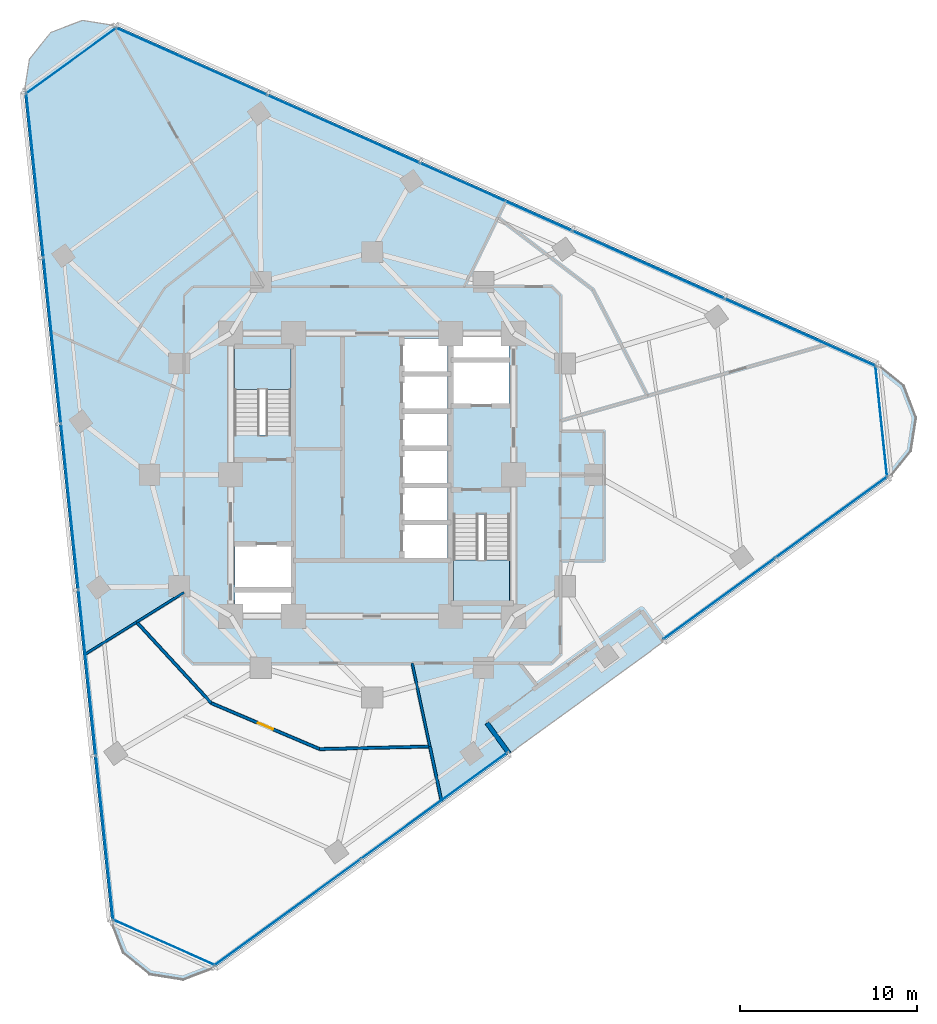
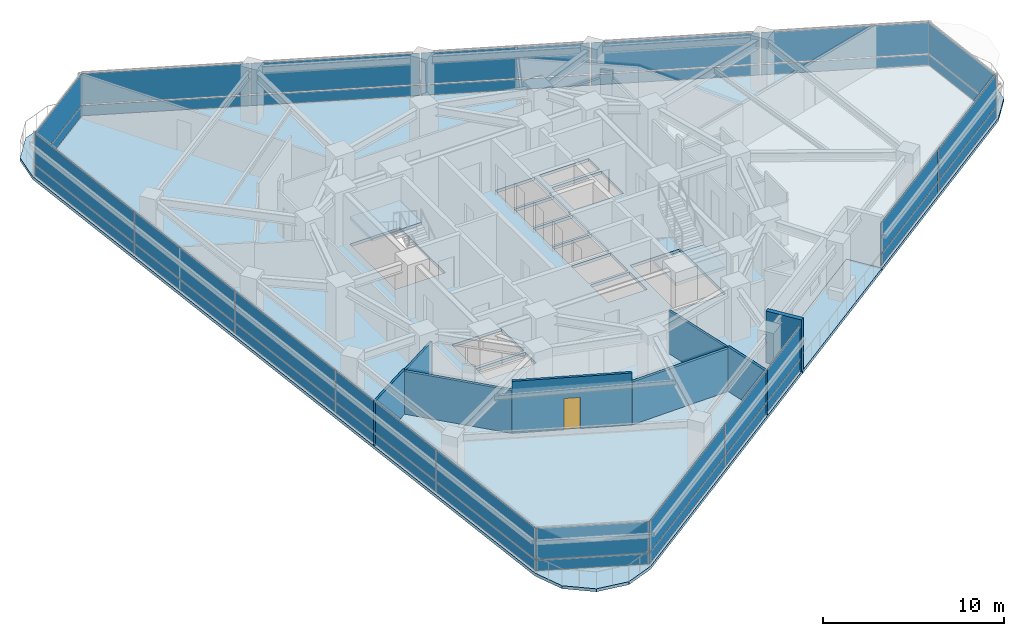
# One storey, part 7 of 14: 34 plates, 8 walls, 4 slabs, 1 door, 1 opening, 9 elements without a shape of their own.
"""IFC4 building model written with IfcOpenShell, lengths in metres."""

import ifcopenshell
import ifcopenshell.guid

model = None  # the IFC model being written
_history = None  # IfcOwnerHistory: only IFC2X3 demands one
_inside = {}  # id of a spatial element -> (the spatial element, [elements in it])
_under = {}  # id of a project, library or spatial element -> (it, [spatial elements below it])
_declared = {}  # id of a project -> (the project, [libraries it declares])
_typed = {}  # id of a type object -> (the type object, [elements of that type])
_made_of = {}  # id of a material, layer set ... -> (it, [elements and type objects made of it])


def new_model(schema):
    """Start an empty IFC model of exactly this schema.

    Asked for "IFC4X3", IfcOpenShell would pick the latest addendum, in which some entities
    have other attributes; the version numbers below select the first issue.
    IFC2X3 requires an IfcOwnerHistory on every rooted entity: one is made here for all.
    """
    global model, _history
    if schema == "IFC4X3":
        model = ifcopenshell.file(schema_version=(4, 3, 0, 0))
    else:
        model = ifcopenshell.file(schema=schema)
    _inside.clear()
    _under.clear()
    _declared.clear()
    _typed.clear()
    _made_of.clear()
    _history = None
    if model.schema == "IFC2X3":
        org = make("IfcOrganization", Name="unknown")
        user = make(
            "IfcPersonAndOrganization",
            ThePerson=make("IfcPerson", FamilyName="unknown"),
            TheOrganization=org,
        )
        app = make(
            "IfcApplication",
            ApplicationDeveloper=org,
            Version="unknown",
            ApplicationFullName="unknown",
            ApplicationIdentifier="unknown",
        )
        _history = make(
            "IfcOwnerHistory",
            OwningUser=user,
            OwningApplication=app,
            ChangeAction="ADDED",
            CreationDate=0,
        )
    return model


def make(cls, **values):
    """One entity of the class cls with the attributes given. An attribute that is None is left unset."""
    return model.create_entity(
        cls, **{name: value for name, value in values.items() if value is not None}
    )


def rooted(cls, **values):
    """An entity with a GlobalId (a new one), such as an element, a storey or a relation."""
    return make(cls, GlobalId=ifcopenshell.guid.new(), OwnerHistory=_history, **values)


def si_unit(unit_type, name, prefix=None):
    """IfcSIUnit, for example si_unit("LENGTHUNIT", "METRE", prefix="MILLI")."""
    return make("IfcSIUnit", UnitType=unit_type, Prefix=prefix, Name=name)


def assignment(units):
    """IfcUnitAssignment: the units of a project."""
    return None if units is None else make("IfcUnitAssignment", Units=units)


def point(xyz):
    """IfcCartesianPoint."""
    return None if xyz is None else make("IfcCartesianPoint", Coordinates=xyz)


def direction(xyz):
    """IfcDirection."""
    return None if xyz is None else make("IfcDirection", DirectionRatios=xyz)


def frame(location, z_axis=None, x_axis=None):
    """IfcAxis2Placement3D, a coordinate frame: its origin and axes. An axis left out is left unset."""
    return make(
        "IfcAxis2Placement3D",
        Location=point(location),
        Axis=direction(z_axis),
        RefDirection=direction(x_axis),
    )


def frame_2d(location, x_axis=None):
    """IfcAxis2Placement2D, a coordinate frame in the plane: its origin and x axis."""
    return make(
        "IfcAxis2Placement2D", Location=point(location), RefDirection=direction(x_axis)
    )


def origin():
    """The frame at (0, 0, 0) with its axes left unset."""
    return frame((0.0, 0.0, 0.0))


def origin_2d():
    """The frame at (0, 0) in the plane with its x axis left unset."""
    return frame_2d((0.0, 0.0))


def place(relative_to, where):
    """IfcLocalPlacement: puts the frame where relative to a parent placement (None: the world)."""
    return make(
        "IfcLocalPlacement", PlacementRelTo=relative_to, RelativePlacement=where
    )


def context(
    kind, dimensions, precision=None, world=None, true_north=None, identifier=None
):
    """IfcGeometricRepresentationContext, for example the 3D "Model" context."""
    return make(
        "IfcGeometricRepresentationContext",
        ContextIdentifier=identifier,
        ContextType=kind,
        CoordinateSpaceDimension=dimensions,
        Precision=precision,
        WorldCoordinateSystem=world,
        TrueNorth=true_north,
    )


def subcontext(parent, identifier, kind, view, scale=None):
    """IfcGeometricRepresentationSubContext, for example "Body" below "Model"."""
    return make(
        "IfcGeometricRepresentationSubContext",
        ContextIdentifier=identifier,
        ContextType=kind,
        ParentContext=parent,
        TargetScale=scale,
        TargetView=view,
    )


def project(units=None, contexts=None):
    """IfcProject with its units and contexts."""
    return rooted(
        "IfcProject",
        Name="project",
        RepresentationContexts=contexts,
        UnitsInContext=assignment(units),
    )


def spatial(cls, under=None, at=None, **own):
    """A site, building, storey or space (cls), placed at a placement, below another one or the project."""
    s = rooted(cls, ObjectPlacement=at, **own)
    if under is not None:
        _under.setdefault(under.id(), (under, []))[1].append(s)
    return s


def polyline(points):
    """IfcPolyline through the points."""
    return make("IfcPolyline", Points=[point(p) for p in points])


def profile(cls, at=None, kind="AREA", **sizes):
    """A parametric profile (cls). Its sizes go by their IFC names, for example OverallWidth=200.0."""
    return make(cls, ProfileType=kind, Position=at, **sizes)


def rectangle(**sizes):
    """IfcRectangleProfileDef."""
    return profile("IfcRectangleProfileDef", **sizes)


def outline(outer, holes=None, kind="AREA"):
    """IfcArbitraryClosedProfileDef: a profile drawn as a closed curve; with holes, ...WithVoids."""
    if holes is None:
        return make("IfcArbitraryClosedProfileDef", ProfileType=kind, OuterCurve=outer)
    return make(
        "IfcArbitraryProfileDefWithVoids",
        ProfileType=kind,
        OuterCurve=outer,
        InnerCurves=holes,
    )


def extrude(swept, where, along, depth):
    """IfcExtrudedAreaSolid: the profile swept, set in the frame where, extruded along a direction by depth."""
    return make(
        "IfcExtrudedAreaSolid",
        SweptArea=swept,
        Position=where,
        ExtrudedDirection=direction(along),
        Depth=depth,
    )


def shape(context_of_items, identifier, shape_type, items):
    """IfcShapeRepresentation: the items that make up one representation, for example the "Body"."""
    return make(
        "IfcShapeRepresentation",
        ContextOfItems=context_of_items,
        RepresentationIdentifier=identifier,
        RepresentationType=shape_type,
        Items=items,
    )


def material(Name=None, Category=None):
    """IfcMaterial."""
    return make("IfcMaterial", Name=Name, Category=Category)


def layer(
    of_material, thickness, ventilated=None, Name=None, Category=None, Priority=None
):
    """IfcMaterialLayer: one layer of a wall or slab, of a material (None: an air gap)."""
    return make(
        "IfcMaterialLayer",
        Material=of_material,
        LayerThickness=thickness,
        IsVentilated=ventilated,
        Name=Name,
        Category=Category,
        Priority=Priority,
    )


def layer_set(layers, Name=None):
    """IfcMaterialLayerSet."""
    return make("IfcMaterialLayerSet", MaterialLayers=layers, LayerSetName=Name)


def made_of(thing, what):
    """Note that an element or type object is made of a material, layer set ...; save() writes the relation."""
    if what is not None:
        _made_of.setdefault(what.id(), (what, []))[1].append(thing)
    return thing


def type_object(cls, material=None, **own):
    """A type object (cls), such as IfcWallType, which elements share."""
    return made_of(rooted(cls, **own), material)


def element(
    cls,
    number,
    at=None,
    inside=None,
    cuts=None,
    type_object=None,
    material=None,
    context=None,
    identifier="Body",
    shape_type=None,
    held_by="IfcProductDefinitionShape",
    body=None,
    shapes=None,
    **own,
):
    """One element of the class cls, such as IfcWall. Its Tag is "e" and its number.

    at: its placement. inside: the storey or other place that contains it. cuts: it is an
    opening in that element (IfcRelVoidsElement). A single representation is given by context,
    identifier, shape_type and body (its items); several are given by shapes. held_by: the class
    of the entity that holds the representations. save() writes the other relations.
    """
    e = rooted(cls, Tag="e%d" % number, ObjectPlacement=at, **own)
    if body is not None:
        shapes = [shape(context, identifier, shape_type, body)]
    if shapes is not None:
        e.Representation = make(held_by, Representations=shapes)
    if inside is not None:
        _inside.setdefault(inside.id(), (inside, []))[1].append(e)
    if cuts is not None:
        rooted(
            "IfcRelVoidsElement", RelatingBuildingElement=cuts, RelatedOpeningElement=e
        )
    if type_object is not None:
        _typed.setdefault(type_object.id(), (type_object, []))[1].append(e)
    return made_of(e, material)


def fill(opening, filler):
    """IfcRelFillsElement: the door or window that sits in an opening."""
    return rooted(
        "IfcRelFillsElement",
        RelatingOpeningElement=opening,
        RelatedBuildingElement=filler,
    )


def aggregate(whole, parts):
    """IfcRelAggregates: a whole, such as a stair, and the parts it consists of."""
    return rooted("IfcRelAggregates", RelatingObject=whole, RelatedObjects=parts)


def save(model, path):
    """Write the relations noted so far, then the file.

    IfcRelAggregates (storeys below a building ...), IfcRelContainedInSpatialStructure (elements
    in a storey), IfcRelDefinesByType, IfcRelAssociatesMaterial and IfcRelDeclares: one each for
    every whole, place, type object, material and project.
    """
    for whole, parts in _under.values():
        aggregate(whole, parts)
    for where, things in _inside.values():
        rooted(
            "IfcRelContainedInSpatialStructure",
            RelatedElements=things,
            RelatingStructure=where,
        )
    for kind, things in _typed.values():
        rooted("IfcRelDefinesByType", RelatedObjects=things, RelatingType=kind)
    for what, things in _made_of.values():
        rooted("IfcRelAssociatesMaterial", RelatedObjects=things, RelatingMaterial=what)
    for by, libraries in _declared.values():
        rooted("IfcRelDeclares", RelatingContext=by, RelatedDefinitions=libraries)
    model.write(path)


model = new_model("IFC4")

# Units and contexts
model_context = context("Model", 3, precision=1e-05, world=origin(), true_north=direction((0.0, 1.0)))
body_context = subcontext(model_context, "Body", "Model", "MODEL_VIEW")
ifc_project = project(units=[si_unit("LENGTHUNIT", "METRE"), si_unit("AREAUNIT", "SQUARE_METRE"), si_unit("VOLUMEUNIT", "CUBIC_METRE"), si_unit("PLANEANGLEUNIT", "RADIAN"), si_unit("MASSUNIT", "GRAM", prefix="KILO")], contexts=[model_context])

# Site, building, storey
site_placement = place(None, origin())
site = spatial("IfcSite", under=ifc_project, at=site_placement, CompositionType="ELEMENT")
building_placement = place(site_placement, origin())
building = spatial("IfcBuilding", under=site, at=building_placement, Name="Terralouvre Media Tower", CompositionType="ELEMENT")
storey_placement = place(building_placement, frame((0.0, 0.0, 158.300048828125)))
storey = spatial("IfcBuildingStorey", under=building, at=storey_placement, Name="L40", CompositionType="ELEMENT", Elevation=158.300048828125)

# Slabs
ifc_material_1 = material(Name="Concrete C40/50", Category="concrete")
ifc_layer_1 = layer(ifc_material_1, 0.199951171875, Name="Composite Tower Floor Slab S-TYP200")
ifc_layer_set_1 = layer_set([ifc_layer_1], Name="Concrete C40/50")
slab_type_1 = type_object("IfcSlabType", Name="Composite Tower Floor Slab S-TYP200", PredefinedType="FLOOR", material=ifc_layer_set_1)
slab_1_placement = place(storey_placement, frame((0.0, 0.0, -0.199951171875), z_axis=(0.0, 0.0, 1.0), x_axis=(0.809016994375, 0.587785252292, 0.0)))
element("IfcSlab", 1, at=slab_1_placement, inside=storey, type_object=slab_type_1, Name="L40 Structural Floor Slab", PredefinedType="FLOOR", context=body_context, shape_type="SweptSolid", body=[
    extrude(outline(polyline([(-23.60009765625, -17.325439453125), (-3.0, -17.325439453125), (-3.0, -15.175537109375), (7.800048828125, -15.175537109375), (7.800048828125, -17.325439453125), (23.60009765625, -17.325439453125), (25.449951171875, -16.829833984375), (26.80419921875, -15.4755859375), (27.300048828125, -13.62548828125), (26.80419921875, -11.775390625), (3.204345703125, 29.100830078125), (1.85009765625, 30.455322265625), (0.0, 30.950927734375), (-1.85009765625, 30.455322265625), (-3.204345703125, 29.100830078125), (-26.80419921875, -11.775390625), (-27.300048828125, -13.62548828125), (-26.80419921875, -15.475341796875), (-25.449951171875, -16.829833984375), (-23.60009765625, -17.325439453125)]), holes=[polyline([(-7.600830078125, -2.6357421875), (-8.30615234375, -3.6064453125), (-10.8544921875, -1.7548828125), (-10.149169921875, -0.7841796875), (-7.600830078125, -2.6357421875)]), polyline([(-7.4833984375, -2.473876953125), (-10.03173828125, -0.622314453125), (-8.591552734375, 1.359619140625), (-6.043212890625, -0.49169921875), (-7.4833984375, -2.473876953125)]), polyline([(4.366943359375, -1.2197265625), (2.344482421875, 0.24951171875), (3.48486328125, 1.819091796875), (5.50732421875, 0.349609375), (4.366943359375, -1.2197265625)]), polyline([(6.74169921875, 2.048583984375), (5.601318359375, 0.47900390625), (3.578857421875, 1.948486328125), (4.71923828125, 3.51806640625), (6.74169921875, 2.048583984375)]), polyline([(-2.40185546875, 4.52001953125), (-4.974609375, 6.38916015625), (-2.02685546875, 10.446533203125), (0.5458984375, 8.577392578125), (-2.40185546875, 4.52001953125)]), polyline([(6.835693359375, 2.177978515625), (4.813232421875, 3.6474609375), (5.953369140625, 5.217041015625), (7.97607421875, 3.74755859375), (6.835693359375, 2.177978515625)]), polyline([(-0.5458984375, -8.577392578125), (2.40185546875, -4.52001953125), (4.974609375, -6.38916015625), (2.02685546875, -10.446533203125), (-0.5458984375, -8.577392578125)]), polyline([(0.6640625, -6.316650390625), (-1.358642578125, -4.84716796875), (-0.21826171875, -3.277587890625), (1.80419921875, -4.7470703125), (0.6640625, -6.316650390625)]), polyline([(1.8984375, -4.61767578125), (-0.124267578125, -3.148193359375), (1.01611328125, -1.578857421875), (3.03857421875, -3.04833984375), (1.8984375, -4.61767578125)]), polyline([(4.27294921875, -1.349365234375), (3.132568359375, -2.918701171875), (1.110107421875, -1.44921875), (2.25048828125, 0.1201171875), (4.27294921875, -1.349365234375)]), polyline([(8.591552734375, -1.359619140625), (6.043212890625, 0.49169921875), (7.4833984375, 2.473876953125), (10.03173828125, 0.622314453125), (8.591552734375, -1.359619140625)]), polyline([(10.149169921875, 0.7841796875), (7.600830078125, 2.6357421875), (8.30615234375, 3.6064453125), (10.8544921875, 1.7548828125), (10.149169921875, 0.7841796875)])]), origin(), (0.0, 0.0, 1.0), 0.199951171875),
])
ifc_material_2 = material(Name="Concrete C45/55", Category="concrete")
ifc_layer_2 = layer(ifc_material_2, 0.2099609375, Name="Planted Sky-Garden External Deck S-TER210")
ifc_layer_set_2 = layer_set([ifc_layer_2], Name="Concrete C45/55")
slab_type_2 = type_object("IfcSlabType", Name="Planted Sky-Garden External Deck S-TER210", PredefinedType="FLOOR", material=ifc_layer_set_2)
slab_2_placement = place(storey_placement, frame((0.0, 0.0, -0.2099609375), z_axis=(0.0, 0.0, 1.0), x_axis=(0.809016994375, 0.587785252292, 0.0)))
element("IfcSlab", 2, at=slab_2_placement, inside=storey, type_object=slab_type_2, Name="L40 Helical Planted Sky-Garden Deck 08", PredefinedType="FLOOR", context=body_context, shape_type="SweptSolid", body=[
    extrude(outline(polyline([(-3.0, -17.325439453125), (7.800048828125, -17.325439453125), (7.800048828125, -15.175537109375), (-3.0, -15.175537109375), (-3.0, -17.325439453125)])), origin(), (0.0, 0.0, 1.0), 0.2099609375),
])

# Stair, slab
ifc_material_3 = material(Name="Concrete C45/55", Category="concrete")
stair_type_1 = type_object("IfcStairType", Name="Dogleg Stair Assembly ST-01", PredefinedType="HALF_TURN_STAIR", material=ifc_material_3)
stair_1_placement = place(storey_placement, origin())
stair_1 = element("IfcStair", 3, at=stair_1_placement, inside=storey, type_object=stair_type_1, Name="L40 Core Pressurised Exit Stair ST-01", PredefinedType="HALF_TURN_STAIR")
ifc_material_4 = material(Name="Concrete C45/55", Category="concrete")
ifc_layer_3 = layer(ifc_material_4, 0.199951171875, Name="Reinforced Concrete Stair Half-Landing SL-LD1")
ifc_layer_set_3 = layer_set([ifc_layer_3], Name="Concrete C45/55")
slab_type_3 = type_object("IfcSlabType", Name="Reinforced Concrete Stair Half-Landing SL-LD1", PredefinedType="LANDING", material=ifc_layer_set_3)
slab_3_placement = place(storey_placement, frame((0.0, 0.0, 1.64990234375)))
slab_3 = element("IfcSlab", 4, at=slab_3_placement, type_object=slab_type_3, Name="ST-01 landing 1", PredefinedType="LANDING", context=body_context, shape_type="SweptSolid", body=[
    extrude(outline(polyline([(-4.60009765625, 4.820068359375), (-4.60009765625, 7.260009765625), (-7.780029296875, 7.260009765625), (-7.780029296875, 4.820068359375), (-4.60009765625, 4.820068359375)])), origin(), (0.0, 0.0, 1.0), 0.199951171875),
])
aggregate(stair_1, [slab_3])

ifc_material_5 = material(Name="Concrete C45/55", Category="concrete")
stair_type_2 = type_object("IfcStairType", Name="Dogleg Stair Assembly ST-02", PredefinedType="HALF_TURN_STAIR", material=ifc_material_5)
stair_2_placement = place(storey_placement, origin())
stair_2 = element("IfcStair", 5, at=stair_2_placement, inside=storey, type_object=stair_type_2, Name="L40 Core Pressurised Exit Stair ST-02", PredefinedType="HALF_TURN_STAIR")
slab_4_placement = place(storey_placement, frame((0.0, 0.0, 1.64990234375)))
slab_4 = element("IfcSlab", 6, at=slab_4_placement, type_object=slab_type_3, Name="ST-02 landing 1", PredefinedType="LANDING", context=body_context, shape_type="SweptSolid", body=[
    extrude(outline(polyline([(4.60009765625, -4.820068359375), (4.60009765625, -7.260009765625), (7.780029296875, -7.260009765625), (7.780029296875, -4.820068359375), (4.60009765625, -4.820068359375)])), origin(), (0.0, 0.0, 1.0), 0.199951171875),
])
aggregate(stair_2, [slab_4])

# Curtain wall, plates
ifc_material_6 = material(Name="Low-iron laminated double glazing with solar-control coating", Category="glass")
ifc_layer_4 = layer(ifc_material_6, 0.1650390625, Name="Rounded Wind-Corner Curved Glazing CW-04")
ifc_layer_set_4 = layer_set([ifc_layer_4], Name="Low-iron laminated double glazing with solar-control coating")
curtain_wall_type_1 = type_object("IfcCurtainWallType", Name="Rounded Wind-Corner Curved Glazing CW-04", PredefinedType="NOTDEFINED", material=ifc_layer_set_4)
curtain_wall_1_placement = place(storey_placement, origin())
curtain_wall_1 = element("IfcCurtainWall", 7, at=curtain_wall_1_placement, inside=storey, type_object=curtain_wall_type_1, Name="L40 Rounded Wind-Corner Curtain Wall C0", PredefinedType="NOTDEFINED")
ifc_material_7 = material(Name="Low-iron laminated double glazing with solar-control coating", Category="glass")
ifc_layer_5 = layer(ifc_material_7, 0.0400390625, Name="Rounded Corner Laminated Vision Panel CWP-03")
ifc_layer_set_5 = layer_set([ifc_layer_5], Name="Low-iron laminated double glazing with solar-control coating")
plate_type_1 = type_object("IfcPlateType", Name="Rounded Corner Laminated Vision Panel CWP-03", PredefinedType="CURTAIN_PANEL", material=ifc_layer_set_5)
plate_1_placement = place(storey_placement, frame((-11.779541015625, -26.45703125, 0.074951171875), z_axis=(0.0, 0.0, 1.0), x_axis=(0.913545408199, -0.406736754128, 0.0)))
plate_1 = element("IfcPlate", 8, at=plate_1_placement, type_object=plate_type_1, Name="CW-04 panel 1.1", PredefinedType="CURTAIN_PANEL", context=body_context, shape_type="SweptSolid", body=[
    extrude(rectangle(XDim=6.258544921875, YDim=0.035888671875, at=origin_2d()), origin(), (0.0, 0.0, 1.0), 0.6875),
])
plate_2_placement = place(storey_placement, frame((-11.779541015625, -26.45703125, 0.83740234375), z_axis=(0.0, 0.0, 1.0), x_axis=(0.913545408199, -0.406736754128, 0.0)))
plate_2 = element("IfcPlate", 9, at=plate_2_placement, type_object=plate_type_1, Name="CW-04 panel 1.2", PredefinedType="CURTAIN_PANEL", context=body_context, shape_type="SweptSolid", body=[
    extrude(rectangle(XDim=6.258544921875, YDim=0.035888671875, at=origin_2d()), origin(), (0.0, 0.0, 1.0), 2.08740234375),
])
aggregate(curtain_wall_1, [plate_1, plate_2])

curtain_wall_2_placement = place(storey_placement, origin())
curtain_wall_2 = element("IfcCurtainWall", 10, at=curtain_wall_2_placement, inside=storey, type_object=curtain_wall_type_1, Name="L40 Rounded Wind-Corner Curtain Wall C1", PredefinedType="NOTDEFINED")
plate_3_placement = place(storey_placement, frame((28.80224609375, 3.02734375, 0.074951171875), z_axis=(0.0, 0.0, 1.0), x_axis=(-0.10452850319, 0.994521891172, 0.0)))
plate_3 = element("IfcPlate", 11, at=plate_3_placement, type_object=plate_type_1, Name="CW-04 panel 1.1", PredefinedType="CURTAIN_PANEL", context=body_context, shape_type="SweptSolid", body=[
    extrude(rectangle(XDim=6.258544921875, YDim=0.035888671875, at=origin_2d()), origin(), (0.0, 0.0, 1.0), 0.6875),
])
plate_4_placement = place(storey_placement, frame((28.80224609375, 3.02734375, 0.83740234375), z_axis=(0.0, 0.0, 1.0), x_axis=(-0.10452850319, 0.994521891172, 0.0)))
plate_4 = element("IfcPlate", 12, at=plate_4_placement, type_object=plate_type_1, Name="CW-04 panel 1.2", PredefinedType="CURTAIN_PANEL", context=body_context, shape_type="SweptSolid", body=[
    extrude(rectangle(XDim=6.258544921875, YDim=0.035888671875, at=origin_2d()), origin(), (0.0, 0.0, 1.0), 2.08740234375),
])
aggregate(curtain_wall_2, [plate_3, plate_4])

curtain_wall_3_placement = place(storey_placement, origin())
curtain_wall_3 = element("IfcCurtainWall", 13, at=curtain_wall_3_placement, inside=storey, type_object=curtain_wall_type_1, Name="L40 Rounded Wind-Corner Curtain Wall C2", PredefinedType="NOTDEFINED")
plate_5_placement = place(storey_placement, frame((-17.022705078125, 23.429931640625, 0.074951171875), z_axis=(0.0, 0.0, 1.0), x_axis=(-0.809017438344, -0.587784641221, 0.0)))
plate_5 = element("IfcPlate", 14, at=plate_5_placement, type_object=plate_type_1, Name="CW-04 panel 1.1", PredefinedType="CURTAIN_PANEL", context=body_context, shape_type="SweptSolid", body=[
    extrude(rectangle(XDim=6.258544921875, YDim=0.035888671875, at=origin_2d()), origin(), (0.0, 0.0, 1.0), 0.6875),
])
plate_6_placement = place(storey_placement, frame((-17.022705078125, 23.429931640625, 0.83740234375), z_axis=(0.0, 0.0, 1.0), x_axis=(-0.809017438344, -0.587784641221, 0.0)))
plate_6 = element("IfcPlate", 15, at=plate_6_placement, type_object=plate_type_1, Name="CW-04 panel 1.2", PredefinedType="CURTAIN_PANEL", context=body_context, shape_type="SweptSolid", body=[
    extrude(rectangle(XDim=6.258544921875, YDim=0.035888671875, at=origin_2d()), origin(), (0.0, 0.0, 1.0), 2.08740234375),
])
aggregate(curtain_wall_3, [plate_5, plate_6])

ifc_material_8 = material(Name="Low-iron laminated double glazing with solar-control coating", Category="glass")
ifc_layer_6 = layer(ifc_material_8, 0.1650390625, Name="Production Studio Tower Curtain Wall CW-03")
ifc_layer_set_6 = layer_set([ifc_layer_6], Name="Low-iron laminated double glazing with solar-control coating")
curtain_wall_type_2 = type_object("IfcCurtainWallType", Name="Production Studio Tower Curtain Wall CW-03", PredefinedType="NOTDEFINED", material=ifc_layer_set_6)
curtain_wall_4_placement = place(storey_placement, origin())
curtain_wall_4 = element("IfcCurtainWall", 16, at=curtain_wall_4_placement, inside=storey, type_object=curtain_wall_type_2, Name="L40 Left Flank Curtain Wall F0", PredefinedType="NOTDEFINED")
ifc_material_9 = material(Name="Low-iron laminated double glazing with solar-control coating", Category="glass")
ifc_layer_7 = layer(ifc_material_9, 0.035888671875, Name="Vision Double-Glazed Unit CWP-01")
ifc_layer_set_7 = layer_set([ifc_layer_7], Name="Low-iron laminated double glazing with solar-control coating")
plate_type_2 = type_object("IfcPlateType", Name="Vision Double-Glazed Unit CWP-01", PredefinedType="CURTAIN_PANEL", material=ifc_layer_set_7)
plate_7_placement = place(storey_placement, frame((-4.798095703125, -24.753173828125, 0.074951171875), z_axis=(0.0, 0.0, 1.0), x_axis=(0.809017136018, 0.587785057337, 0.0)))
plate_7 = element("IfcPlate", 17, at=plate_7_placement, type_object=plate_type_2, Name="CW-03 panel 1.1", PredefinedType="CURTAIN_PANEL", context=body_context, shape_type="SweptSolid", body=[
    extrude(rectangle(XDim=10.1875, YDim=0.035888671875, at=origin_2d()), origin(), (0.0, 0.0, 1.0), 0.6875),
])
plate_8_placement = place(storey_placement, frame((-4.798095703125, -24.753173828125, 0.83740234375), z_axis=(0.0, 0.0, 1.0), x_axis=(0.809017136018, 0.587785057337, 0.0)))
plate_8 = element("IfcPlate", 18, at=plate_8_placement, type_object=plate_type_2, Name="CW-03 panel 1.2", PredefinedType="CURTAIN_PANEL", context=body_context, shape_type="SweptSolid", body=[
    extrude(rectangle(XDim=10.1875, YDim=0.035888671875, at=origin_2d()), origin(), (0.0, 0.0, 1.0), 2.08740234375),
])
plate_9_placement = place(storey_placement, frame((3.50439453125, -18.720947265625, 0.074951171875), z_axis=(0.0, 0.0, 1.0), x_axis=(0.809017136018, 0.587785057337, 0.0)))
plate_9 = element("IfcPlate", 19, at=plate_9_placement, type_object=plate_type_2, Name="CW-03 panel 2.1", PredefinedType="CURTAIN_PANEL", context=body_context, shape_type="SweptSolid", body=[
    extrude(rectangle(XDim=10.1875, YDim=0.035888671875, at=origin_2d()), origin(), (0.0, 0.0, 1.0), 0.6875),
])
plate_10_placement = place(storey_placement, frame((3.50439453125, -18.720947265625, 0.83740234375), z_axis=(0.0, 0.0, 1.0), x_axis=(0.809017136018, 0.587785057337, 0.0)))
plate_10 = element("IfcPlate", 20, at=plate_10_placement, type_object=plate_type_2, Name="CW-03 panel 2.2", PredefinedType="CURTAIN_PANEL", context=body_context, shape_type="SweptSolid", body=[
    extrude(rectangle(XDim=10.1875, YDim=0.035888671875, at=origin_2d()), origin(), (0.0, 0.0, 1.0), 2.08740234375),
])
aggregate(curtain_wall_4, [plate_7, plate_8, plate_9, plate_10])

curtain_wall_5_placement = place(storey_placement, origin())
curtain_wall_5 = element("IfcCurtainWall", 21, at=curtain_wall_5_placement, inside=storey, type_object=curtain_wall_type_2, Name="L40 Right Flank Curtain Wall F0", PredefinedType="NOTDEFINED")
plate_11_placement = place(storey_placement, frame((19.63427734375, -7.001953125, 0.074951171875), z_axis=(0.0, 0.0, 1.0), x_axis=(0.809016635256, 0.587785746577, 0.0)))
plate_11 = element("IfcPlate", 22, at=plate_11_placement, type_object=plate_type_2, Name="CW-03 panel 1.1", PredefinedType="CURTAIN_PANEL", context=body_context, shape_type="SweptSolid", body=[
    extrude(rectangle(XDim=7.78759765625, YDim=0.035888671875, at=origin_2d()), origin(), (0.0, 0.0, 1.0), 0.6875),
])
plate_12_placement = place(storey_placement, frame((19.63427734375, -7.001953125, 0.83740234375), z_axis=(0.0, 0.0, 1.0), x_axis=(0.809016635256, 0.587785746577, 0.0)))
plate_12 = element("IfcPlate", 23, at=plate_12_placement, type_object=plate_type_2, Name="CW-03 panel 1.2", PredefinedType="CURTAIN_PANEL", context=body_context, shape_type="SweptSolid", body=[
    extrude(rectangle(XDim=7.78759765625, YDim=0.035888671875, at=origin_2d()), origin(), (0.0, 0.0, 1.0), 2.08740234375),
])
plate_13_placement = place(storey_placement, frame((25.9951171875, -2.380615234375, 0.074951171875), z_axis=(0.0, 0.0, 1.0), x_axis=(0.809016635256, 0.587785746577, 0.0)))
plate_13 = element("IfcPlate", 24, at=plate_13_placement, type_object=plate_type_2, Name="CW-03 panel 2.1", PredefinedType="CURTAIN_PANEL", context=body_context, shape_type="SweptSolid", body=[
    extrude(rectangle(XDim=7.78759765625, YDim=0.035888671875, at=origin_2d()), origin(), (0.0, 0.0, 1.0), 0.6875),
])
plate_14_placement = place(storey_placement, frame((25.9951171875, -2.380615234375, 0.83740234375), z_axis=(0.0, 0.0, 1.0), x_axis=(0.809016635256, 0.587785746577, 0.0)))
plate_14 = element("IfcPlate", 25, at=plate_14_placement, type_object=plate_type_2, Name="CW-03 panel 2.2", PredefinedType="CURTAIN_PANEL", context=body_context, shape_type="SweptSolid", body=[
    extrude(rectangle(XDim=7.78759765625, YDim=0.035888671875, at=origin_2d()), origin(), (0.0, 0.0, 1.0), 2.08740234375),
])
aggregate(curtain_wall_5, [plate_11, plate_12, plate_13, plate_14])

curtain_wall_6_placement = place(storey_placement, origin())
curtain_wall_6 = element("IfcCurtainWall", 26, at=curtain_wall_6_placement, inside=storey, type_object=curtain_wall_type_2, Name="L40 Facade Curtain Wall F1", PredefinedType="NOTDEFINED")
plate_15_placement = place(storey_placement, frame((24.228759765625, 8.04638671875, 0.074951171875), z_axis=(0.0, 0.0, 1.0), x_axis=(-0.913545469547, 0.406736616337, 0.0)))
plate_15 = element("IfcPlate", 27, at=plate_15_placement, type_object=plate_type_2, Name="CW-03 panel 1.1", PredefinedType="CURTAIN_PANEL", context=body_context, shape_type="SweptSolid", body=[
    extrude(rectangle(XDim=9.327392578125, YDim=0.035888671875, at=origin_2d()), origin(), (0.0, 0.0, 1.0), 0.6875),
])
plate_16_placement = place(storey_placement, frame((24.228759765625, 8.04638671875, 0.83740234375), z_axis=(0.0, 0.0, 1.0), x_axis=(-0.913545469547, 0.406736616337, 0.0)))
plate_16 = element("IfcPlate", 28, at=plate_16_placement, type_object=plate_type_2, Name="CW-03 panel 1.2", PredefinedType="CURTAIN_PANEL", context=body_context, shape_type="SweptSolid", body=[
    extrude(rectangle(XDim=9.327392578125, YDim=0.035888671875, at=origin_2d()), origin(), (0.0, 0.0, 1.0), 2.08740234375),
])
plate_17_placement = place(storey_placement, frame((15.6220703125, 11.87841796875, 0.074951171875), z_axis=(0.0, 0.0, 1.0), x_axis=(-0.913545469547, 0.406736616337, 0.0)))
plate_17 = element("IfcPlate", 29, at=plate_17_placement, type_object=plate_type_2, Name="CW-03 panel 2.1", PredefinedType="CURTAIN_PANEL", context=body_context, shape_type="SweptSolid", body=[
    extrude(rectangle(XDim=9.364990234375, YDim=0.035888671875, at=origin_2d()), origin(), (0.0, 0.0, 1.0), 0.6875),
])
plate_18_placement = place(storey_placement, frame((15.6220703125, 11.87841796875, 0.83740234375), z_axis=(0.0, 0.0, 1.0), x_axis=(-0.913545469547, 0.406736616337, 0.0)))
plate_18 = element("IfcPlate", 30, at=plate_18_placement, type_object=plate_type_2, Name="CW-03 panel 2.2", PredefinedType="CURTAIN_PANEL", context=body_context, shape_type="SweptSolid", body=[
    extrude(rectangle(XDim=9.364990234375, YDim=0.035888671875, at=origin_2d()), origin(), (0.0, 0.0, 1.0), 2.08740234375),
])
plate_19_placement = place(storey_placement, frame((6.998046875, 15.718017578125, 0.074951171875), z_axis=(0.0, 0.0, 1.0), x_axis=(-0.913545469547, 0.406736616337, 0.0)))
plate_19 = element("IfcPlate", 31, at=plate_19_placement, type_object=plate_type_2, Name="CW-03 panel 3.1", PredefinedType="CURTAIN_PANEL", context=body_context, shape_type="SweptSolid", body=[
    extrude(rectangle(XDim=9.364990234375, YDim=0.035888671875, at=origin_2d()), origin(), (0.0, 0.0, 1.0), 0.6875),
])
plate_20_placement = place(storey_placement, frame((6.998046875, 15.718017578125, 0.83740234375), z_axis=(0.0, 0.0, 1.0), x_axis=(-0.913545469547, 0.406736616337, 0.0)))
plate_20 = element("IfcPlate", 32, at=plate_20_placement, type_object=plate_type_2, Name="CW-03 panel 3.2", PredefinedType="CURTAIN_PANEL", context=body_context, shape_type="SweptSolid", body=[
    extrude(rectangle(XDim=9.364990234375, YDim=0.035888671875, at=origin_2d()), origin(), (0.0, 0.0, 1.0), 2.08740234375),
])
plate_21_placement = place(storey_placement, frame((-1.625732421875, 19.5576171875, 0.074951171875), z_axis=(0.0, 0.0, 1.0), x_axis=(-0.913545469547, 0.406736616337, 0.0)))
plate_21 = element("IfcPlate", 33, at=plate_21_placement, type_object=plate_type_2, Name="CW-03 panel 4.1", PredefinedType="CURTAIN_PANEL", context=body_context, shape_type="SweptSolid", body=[
    extrude(rectangle(XDim=9.364990234375, YDim=0.035888671875, at=origin_2d()), origin(), (0.0, 0.0, 1.0), 0.6875),
])
plate_22_placement = place(storey_placement, frame((-1.625732421875, 19.5576171875, 0.83740234375), z_axis=(0.0, 0.0, 1.0), x_axis=(-0.913545469547, 0.406736616337, 0.0)))
plate_22 = element("IfcPlate", 34, at=plate_22_placement, type_object=plate_type_2, Name="CW-03 panel 4.2", PredefinedType="CURTAIN_PANEL", context=body_context, shape_type="SweptSolid", body=[
    extrude(rectangle(XDim=9.364990234375, YDim=0.035888671875, at=origin_2d()), origin(), (0.0, 0.0, 1.0), 2.08740234375),
])
plate_23_placement = place(storey_placement, frame((-10.232421875, 23.3896484375, 0.074951171875), z_axis=(0.0, 0.0, 1.0), x_axis=(-0.913545469547, 0.406736616337, 0.0)))
plate_23 = element("IfcPlate", 35, at=plate_23_placement, type_object=plate_type_2, Name="CW-03 panel 5.1", PredefinedType="CURTAIN_PANEL", context=body_context, shape_type="SweptSolid", body=[
    extrude(rectangle(XDim=9.327392578125, YDim=0.035888671875, at=origin_2d()), origin(), (0.0, 0.0, 1.0), 0.6875),
])
plate_24_placement = place(storey_placement, frame((-10.232421875, 23.3896484375, 0.83740234375), z_axis=(0.0, 0.0, 1.0), x_axis=(-0.913545469547, 0.406736616337, 0.0)))
plate_24 = element("IfcPlate", 36, at=plate_24_placement, type_object=plate_type_2, Name="CW-03 panel 5.2", PredefinedType="CURTAIN_PANEL", context=body_context, shape_type="SweptSolid", body=[
    extrude(rectangle(XDim=9.327392578125, YDim=0.035888671875, at=origin_2d()), origin(), (0.0, 0.0, 1.0), 2.08740234375),
])
aggregate(curtain_wall_6, [plate_15, plate_16, plate_17, plate_18, plate_19, plate_20, plate_21, plate_22, plate_23, plate_24])

curtain_wall_7_placement = place(storey_placement, origin())
curtain_wall_7 = element("IfcCurtainWall", 37, at=curtain_wall_7_placement, inside=storey, type_object=curtain_wall_type_2, Name="L40 Facade Curtain Wall F2", PredefinedType="NOTDEFINED")
plate_25_placement = place(storey_placement, frame((-19.082763671875, 16.95947265625, 0.074951171875), z_axis=(0.0, 0.0, 1.0), x_axis=(0.104528376236, -0.994521904516, 0.0)))
plate_25 = element("IfcPlate", 38, at=plate_25_placement, type_object=plate_type_2, Name="CW-03 panel 1.1", PredefinedType="CURTAIN_PANEL", context=body_context, shape_type="SweptSolid", body=[
    extrude(rectangle(XDim=9.327392578125, YDim=0.035888671875, at=origin_2d()), origin(), (0.0, 0.0, 1.0), 0.6875),
])
plate_26_placement = place(storey_placement, frame((-19.082763671875, 16.95947265625, 0.83740234375), z_axis=(0.0, 0.0, 1.0), x_axis=(0.104528376236, -0.994521904516, 0.0)))
plate_26 = element("IfcPlate", 39, at=plate_26_placement, type_object=plate_type_2, Name="CW-03 panel 1.2", PredefinedType="CURTAIN_PANEL", context=body_context, shape_type="SweptSolid", body=[
    extrude(rectangle(XDim=9.327392578125, YDim=0.035888671875, at=origin_2d()), origin(), (0.0, 0.0, 1.0), 2.08740234375),
])
plate_27_placement = place(storey_placement, frame((-18.097900390625, 7.58984375, 0.074951171875), z_axis=(0.0, 0.0, 1.0), x_axis=(0.104528376236, -0.994521904516, 0.0)))
plate_27 = element("IfcPlate", 40, at=plate_27_placement, type_object=plate_type_2, Name="CW-03 panel 2.1", PredefinedType="CURTAIN_PANEL", context=body_context, shape_type="SweptSolid", body=[
    extrude(rectangle(XDim=9.364990234375, YDim=0.035888671875, at=origin_2d()), origin(), (0.0, 0.0, 1.0), 0.6875),
])
plate_28_placement = place(storey_placement, frame((-18.097900390625, 7.58984375, 0.83740234375), z_axis=(0.0, 0.0, 1.0), x_axis=(0.104528376236, -0.994521904516, 0.0)))
plate_28 = element("IfcPlate", 41, at=plate_28_placement, type_object=plate_type_2, Name="CW-03 panel 2.2", PredefinedType="CURTAIN_PANEL", context=body_context, shape_type="SweptSolid", body=[
    extrude(rectangle(XDim=9.364990234375, YDim=0.035888671875, at=origin_2d()), origin(), (0.0, 0.0, 1.0), 2.08740234375),
])
plate_29_placement = place(storey_placement, frame((-17.111328125, -1.79833984375, 0.074951171875), z_axis=(0.0, 0.0, 1.0), x_axis=(0.104528376236, -0.994521904516, 0.0)))
plate_29 = element("IfcPlate", 42, at=plate_29_placement, type_object=plate_type_2, Name="CW-03 panel 3.1", PredefinedType="CURTAIN_PANEL", context=body_context, shape_type="SweptSolid", body=[
    extrude(rectangle(XDim=9.364990234375, YDim=0.035888671875, at=origin_2d()), origin(), (0.0, 0.0, 1.0), 0.6875),
])
plate_30_placement = place(storey_placement, frame((-17.111328125, -1.79833984375, 0.83740234375), z_axis=(0.0, 0.0, 1.0), x_axis=(0.104528376236, -0.994521904516, 0.0)))
plate_30 = element("IfcPlate", 43, at=plate_30_placement, type_object=plate_type_2, Name="CW-03 panel 3.2", PredefinedType="CURTAIN_PANEL", context=body_context, shape_type="SweptSolid", body=[
    extrude(rectangle(XDim=9.364990234375, YDim=0.035888671875, at=origin_2d()), origin(), (0.0, 0.0, 1.0), 2.08740234375),
])
plate_31_placement = place(storey_placement, frame((-16.12451171875, -11.186767578125, 0.074951171875), z_axis=(0.0, 0.0, 1.0), x_axis=(0.104528376236, -0.994521904516, 0.0)))
plate_31 = element("IfcPlate", 44, at=plate_31_placement, type_object=plate_type_2, Name="CW-03 panel 4.1", PredefinedType="CURTAIN_PANEL", context=body_context, shape_type="SweptSolid", body=[
    extrude(rectangle(XDim=9.364990234375, YDim=0.035888671875, at=origin_2d()), origin(), (0.0, 0.0, 1.0), 0.6875),
])
plate_32_placement = place(storey_placement, frame((-16.12451171875, -11.186767578125, 0.83740234375), z_axis=(0.0, 0.0, 1.0), x_axis=(0.104528376236, -0.994521904516, 0.0)))
plate_32 = element("IfcPlate", 45, at=plate_32_placement, type_object=plate_type_2, Name="CW-03 panel 4.2", PredefinedType="CURTAIN_PANEL", context=body_context, shape_type="SweptSolid", body=[
    extrude(rectangle(XDim=9.364990234375, YDim=0.035888671875, at=origin_2d()), origin(), (0.0, 0.0, 1.0), 2.08740234375),
])
plate_33_placement = place(storey_placement, frame((-15.1396484375, -20.556396484375, 0.074951171875), z_axis=(0.0, 0.0, 1.0), x_axis=(0.104528376236, -0.994521904516, 0.0)))
plate_33 = element("IfcPlate", 46, at=plate_33_placement, type_object=plate_type_2, Name="CW-03 panel 5.1", PredefinedType="CURTAIN_PANEL", context=body_context, shape_type="SweptSolid", body=[
    extrude(rectangle(XDim=9.327392578125, YDim=0.035888671875, at=origin_2d()), origin(), (0.0, 0.0, 1.0), 0.6875),
])
plate_34_placement = place(storey_placement, frame((-15.1396484375, -20.556396484375, 0.83740234375), z_axis=(0.0, 0.0, 1.0), x_axis=(0.104528376236, -0.994521904516, 0.0)))
plate_34 = element("IfcPlate", 47, at=plate_34_placement, type_object=plate_type_2, Name="CW-03 panel 5.2", PredefinedType="CURTAIN_PANEL", context=body_context, shape_type="SweptSolid", body=[
    extrude(rectangle(XDim=9.327392578125, YDim=0.035888671875, at=origin_2d()), origin(), (0.0, 0.0, 1.0), 2.08740234375),
])
aggregate(curtain_wall_7, [plate_25, plate_26, plate_27, plate_28, plate_29, plate_30, plate_31, plate_32, plate_33, plate_34])

# Walls
ifc_material_10 = material(Name="Fire-rated gypsum board drywall partition")
ifc_layer_8 = layer(ifc_material_10, 0.135009765625, Name="Newsroom Acoustic Partition PT-135")
ifc_layer_set_8 = layer_set([ifc_layer_8], Name="Fire-rated gypsum board drywall partition")
wall_type_1 = type_object("IfcWallType", Name="Newsroom Acoustic Partition PT-135", PredefinedType="PARTITIONING", material=ifc_layer_set_8)
wall_1_placement = place(storey_placement, frame((-16.271728515625, -10.16748046875, 0.0), z_axis=(0.0, 0.0, 1.0), x_axis=(0.848097115085, 0.529840809474, 0.0)))
element("IfcWall", 48, at=wall_1_placement, inside=storey, type_object=wall_type_1, Name="L40 Interior Partition 020", PredefinedType="PARTITIONING", context=body_context, shape_type="SweptSolid", body=[
    extrude(rectangle(XDim=3.4697265625, YDim=0.135009765625, at=frame_2d((1.73486328125, 0.0))), origin(), (0.0, 0.0, 1.0), 2.98486328125),
])
wall_2_placement = place(storey_placement, frame((-13.3291015625, -8.3291015625, 0.0), z_axis=(0.0, 0.0, 1.0), x_axis=(0.848059079617, 0.529901686617, 0.0)))
element("IfcWall", 49, at=wall_2_placement, inside=storey, type_object=wall_type_1, Name="L40 Interior Partition 021", PredefinedType="PARTITIONING", context=body_context, shape_type="SweptSolid", body=[
    extrude(rectangle(XDim=3.1591796875, YDim=0.135009765625, at=frame_2d((1.57958984375, 0.0))), origin(), (0.0, 0.0, 1.0), 2.885009765625),
])
wall_3_placement = place(storey_placement, frame((3.26806640625, -15.373046875, 0.0), z_axis=(0.0, 0.0, 1.0), x_axis=(-0.207954296991, 0.978138543542, 0.0)))
element("IfcWall", 50, at=wall_3_placement, inside=storey, type_object=wall_type_1, Name="L40 Interior Partition 028", PredefinedType="PARTITIONING", context=body_context, shape_type="SweptSolid", body=[
    extrude(rectangle(XDim=4.82861328125, YDim=0.135009765625, at=frame_2d((2.414306640625, 0.0))), origin(), (0.0, 0.0, 1.0), 2.885009765625),
])
ifc_material_11 = material(Name="Kiln-fired architectural terracotta rainscreen cladding", Category="masonry")
ifc_layer_9 = layer(ifc_material_11, 0.260009765625, Name="Recessed Sky-Garden Acoustic Wall EW-SG260")
ifc_layer_set_9 = layer_set([ifc_layer_9], Name="Kiln-fired architectural terracotta rainscreen cladding")
wall_type_2 = type_object("IfcWallType", Name="Recessed Sky-Garden Acoustic Wall EW-SG260", PredefinedType="SOLIDWALL", material=ifc_layer_set_9)
wall_4_placement = place(storey_placement, frame((7.756591796875, -15.780029296875, 0.0), z_axis=(0.0, 0.0, 1.0), x_axis=(-0.587739506477, 0.80905022868, 0.0)))
element("IfcWall", 51, at=wall_4_placement, inside=storey, type_object=wall_type_2, Name="L40 SG Pocket Left Cheek Wall", PredefinedType="SOLIDWALL", context=body_context, shape_type="SweptSolid", body=[
    extrude(rectangle(XDim=2.150146484375, YDim=0.260009765625, at=frame_2d((1.0751953125, 0.0))), origin(), (0.0, 0.0, 1.0), 3.5),
])
ifc_material_12 = material(Name="Fire-rated gypsum board drywall partition")
ifc_layer_10 = layer(ifc_material_12, 0.159912109375, Name="Studio Acoustic Rated Partition PT-160")
ifc_layer_set_10 = layer_set([ifc_layer_10], Name="Fire-rated gypsum board drywall partition")
wall_type_3 = type_object("IfcWallType", Name="Studio Acoustic Rated Partition PT-160", PredefinedType="PARTITIONING", material=ifc_layer_set_10)
wall_5_placement = place(storey_placement, frame((3.26806640625, -15.373046875, 0.0), z_axis=(0.0, 0.0, 1.0), x_axis=(-0.99972988351, -0.023241342836, 0.0)))
element("IfcWall", 52, at=wall_5_placement, inside=storey, type_object=wall_type_3, Name="L40 Interior Partition 024", PredefinedType="PARTITIONING", context=body_context, shape_type="SweptSolid", body=[
    extrude(rectangle(XDim=6.23974609375, YDim=0.159912109375, at=frame_2d((3.119873046875, 0.0))), origin(), (0.0, 0.0, 1.0), 2.885009765625),
])

# Wall, opening, door
wall_6_placement = place(storey_placement, frame((-2.969970703125, -15.51806640625, 0.0), z_axis=(0.0, 0.0, 1.0), x_axis=(-0.920506675175, 0.390726836752, 0.0)))
wall_6 = element("IfcWall", 53, at=wall_6_placement, inside=storey, type_object=wall_type_3, Name="L40 Interior Partition 025", PredefinedType="PARTITIONING", context=body_context, shape_type="SweptSolid", body=[
    extrude(rectangle(XDim=6.659423828125, YDim=0.159912109375, at=frame_2d((3.32958984375, 0.0))), origin(), (0.0, 0.0, 1.0), 3.5),
])
opening_placement = place(wall_6_placement, frame((2.86962890625, 0.0, 0.0)))
opening = element("IfcOpeningElement", 54, at=opening_placement, cuts=wall_6, Name="Opening ID-03-92X210", PredefinedType="OPENING", context=body_context, shape_type="SweptSolid", body=[
    extrude(rectangle(XDim=0.919921875, YDim=2.10009765625, at=frame_2d((0.4599609375, 1.050048828125))), frame((0.0, 0.08984375, 0.0), z_axis=(0.0, -1.0, 0.0), x_axis=(1.0, 0.0, 0.0)), (0.0, 0.0, 1.0), 0.179931640625),
])
ifc_material_13 = material(Name="Engineered hardwood acoustic timber leaf", Category="wood")
door_type = type_object("IfcDoorType", Name="Accessible Restroom and Suite Door ID-03 (920x2100)", OperationType="NOTDEFINED", PredefinedType="DOOR", material=ifc_material_13)
door_placement = place(opening_placement, origin())
door = element("IfcDoor", 55, at=door_placement, inside=storey, type_object=door_type, Name="L40 Director Master Control Room 2 Door", OperationType="SINGLE_SWING_RIGHT", OverallHeight=2.10009765625, OverallWidth=0.919921875, PredefinedType="DOOR", context=body_context, shape_type="SweptSolid", body=[
    extrude(rectangle(XDim=0.919921875, YDim=2.10009765625, at=frame_2d((0.4599609375, 1.050048828125))), frame((0.0, 0.02490234375, 0.0), z_axis=(0.0, -1.0, 0.0), x_axis=(1.0, 0.0, 0.0)), (0.0, 0.0, 1.0), 0.050048828125),
])
fill(opening, door)

# Walls
wall_7_placement = place(storey_placement, frame((-9.10009765625, -12.916015625, 0.0), z_axis=(0.0, 0.0, 1.0), x_axis=(-0.677841155448, 0.735208384052, 0.0)))
element("IfcWall", 56, at=wall_7_placement, inside=storey, type_object=wall_type_3, Name="L40 Interior Partition 026", PredefinedType="PARTITIONING", context=body_context, shape_type="SweptSolid", body=[
    extrude(rectangle(XDim=6.239013671875, YDim=0.159912109375, at=frame_2d((3.11962890625, 0.0))), origin(), (0.0, 0.0, 1.0), 2.885009765625),
])
wall_8_placement = place(storey_placement, frame((3.925048828125, -18.46484375, 0.0), z_axis=(0.0, 0.0, 1.0), x_axis=(-0.207851365584, 0.978160421314, 0.0)))
element("IfcWall", 57, at=wall_8_placement, inside=storey, type_object=wall_type_3, Name="L40 Interior Partition 027", PredefinedType="PARTITIONING", context=body_context, shape_type="SweptSolid", body=[
    extrude(rectangle(XDim=3.160888671875, YDim=0.159912109375, at=frame_2d((1.58056640625, 0.0))), origin(), (0.0, 0.0, 1.0), 2.98486328125),
])

save(model, "model.ifc")
